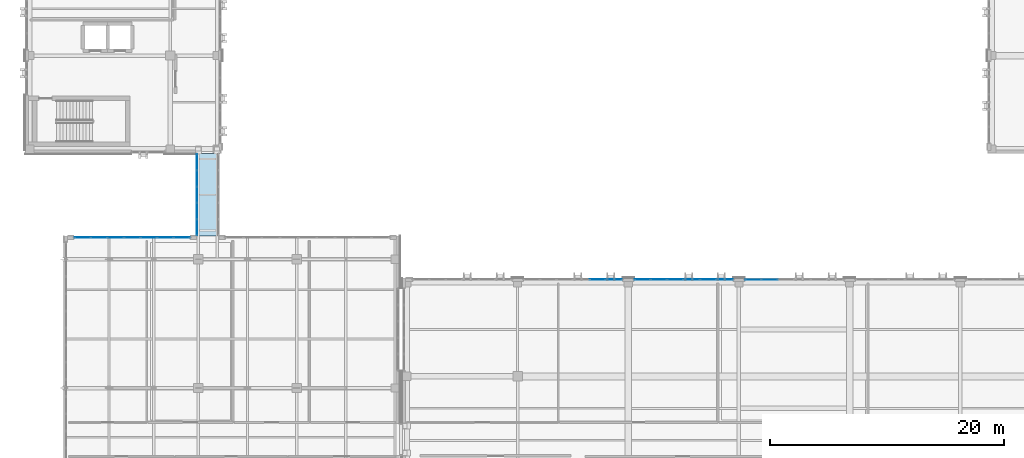
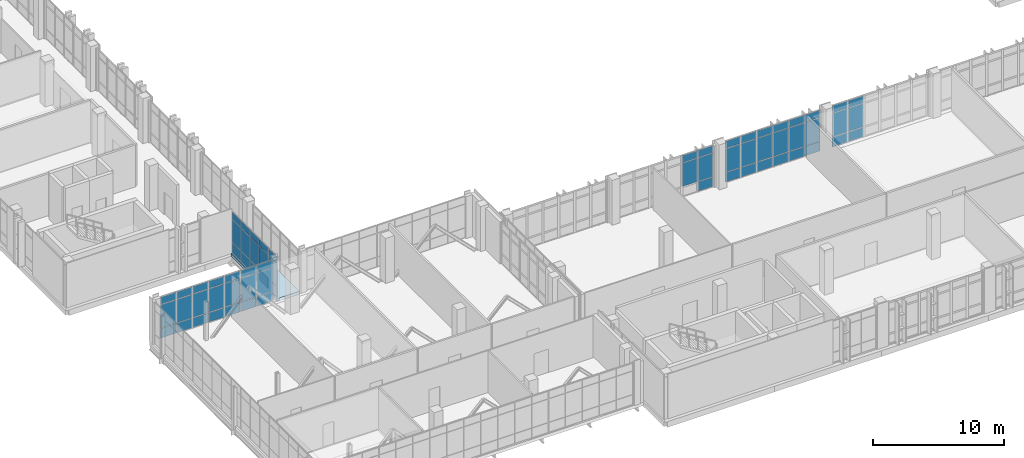
# One storey, part 115 of 165: 65 plates, 1 slab, 5 elements without a shape of their own.
"""IFC4 building model written with IfcOpenShell, lengths in metres."""

from ifc_helpers import new_model, si_unit, direction, frame, origin, origin_2d, place, context, subcontext, project, spatial, polyline, rectangle, outline, extrude, material, layer, layer_set, type_object, element, aggregate, save


model = new_model("IFC4")

# Units and contexts
model_context = context("Model", 3, precision=1e-05, world=origin(), true_north=direction((0.0, 1.0)))
body_context = subcontext(model_context, "Body", "Model", "MODEL_VIEW")
ifc_project = project(units=[si_unit("LENGTHUNIT", "METRE"), si_unit("AREAUNIT", "SQUARE_METRE"), si_unit("VOLUMEUNIT", "CUBIC_METRE"), si_unit("PLANEANGLEUNIT", "RADIAN"), si_unit("MASSUNIT", "GRAM", prefix="KILO")], contexts=[model_context])

# Site, building, storey
site_placement = place(None, origin())
site = spatial("IfcSite", under=ifc_project, at=site_placement, CompositionType="ELEMENT")
building_placement = place(site_placement, origin())
building = spatial("IfcBuilding", under=site, at=building_placement, Name="Qalavern Law Courts", CompositionType="ELEMENT")
storey_placement = place(building_placement, frame((0.0, 0.0, 14.39990234375)))
storey = spatial("IfcBuildingStorey", under=building, at=storey_placement, Name="L03", CompositionType="ELEMENT", Elevation=14.39990234375)

# Curtain wall, plates
ifc_material_1 = material(Name="Anodised aluminium and insulated glazing", Category="aluminium")
ifc_layer_1 = layer(ifc_material_1, 0.199951171875)
ifc_layer_set_1 = layer_set([ifc_layer_1], Name="Anodised aluminium and insulated glazing")
curtain_wall_type_1 = type_object("IfcCurtainWallType", Name="ENV-CW-FOYER", PredefinedType="USERDEFINED", material=ifc_layer_set_1)
curtain_wall_1_placement = place(storey_placement, origin())
curtain_wall_1 = element("IfcCurtainWall", 1, at=curtain_wall_1_placement, inside=storey, type_object=curtain_wall_type_1, Name="V1 unitised curtain wall L03 north 1", ObjectType="UNITISED CURTAIN WALL", PredefinedType="USERDEFINED")
ifc_material_2 = material(Name="Insulated low-E acoustic glazing", Category="glass")
ifc_layer_2 = layer(ifc_material_2, 0.02392578125)
ifc_layer_set_2 = layer_set([ifc_layer_2], Name="Insulated low-E acoustic glazing")
plate_type_1 = type_object("IfcPlateType", Name="ENV-CWP-24", PredefinedType="CURTAIN_PANEL", material=ifc_layer_set_2)
plate_1_placement = place(storey_placement, frame((15.380126953125, 33.8525390625, 0.048095703125), z_axis=(0.0, 0.0, 1.0), x_axis=(-1.0, 0.0, 0.0)))
plate_1 = element("IfcPlate", 2, at=plate_1_placement, type_object=plate_type_1, Name="CW-01 panel 1.1", PredefinedType="CURTAIN_PANEL", context=body_context, shape_type="SweptSolid", body=[
    extrude(rectangle(XDim=1.34375, YDim=0.02392578125, at=origin_2d()), origin(), (0.0, 0.0, 1.0), 0.8779296875),
])
plate_2_placement = place(storey_placement, frame((15.380126953125, 33.8525390625, 0.97412109375), z_axis=(0.0, 0.0, 1.0), x_axis=(-1.0, 0.0, 0.0)))
plate_2 = element("IfcPlate", 3, at=plate_2_placement, type_object=plate_type_1, Name="CW-01 panel 1.2", PredefinedType="CURTAIN_PANEL", context=body_context, shape_type="SweptSolid", body=[
    extrude(rectangle(XDim=1.34375, YDim=0.02392578125, at=origin_2d()), origin(), (0.0, 0.0, 1.0), 2.172119140625),
])
plate_3_placement = place(storey_placement, frame((15.380126953125, 33.8525390625, 3.1943359375), z_axis=(0.0, 0.0, 1.0), x_axis=(-1.0, 0.0, 0.0)))
plate_3 = element("IfcPlate", 4, at=plate_3_placement, type_object=plate_type_1, Name="CW-01 panel 1.3", PredefinedType="CURTAIN_PANEL", context=body_context, shape_type="SweptSolid", body=[
    extrude(rectangle(XDim=1.34375, YDim=0.02392578125, at=origin_2d()), origin(), (0.0, 0.0, 1.0), 0.677978515625),
])
plate_4_placement = place(storey_placement, frame((13.976318359375, 33.8525390625, 0.048095703125), z_axis=(0.0, 0.0, 1.0), x_axis=(-1.0, 0.0, 0.0)))
plate_4 = element("IfcPlate", 5, at=plate_4_placement, type_object=plate_type_1, Name="CW-01 panel 2.1", PredefinedType="CURTAIN_PANEL", context=body_context, shape_type="SweptSolid", body=[
    extrude(rectangle(XDim=1.36767578125, YDim=0.02392578125, at=origin_2d()), origin(), (0.0, 0.0, 1.0), 0.8779296875),
])
plate_5_placement = place(storey_placement, frame((13.976318359375, 33.8525390625, 0.97412109375), z_axis=(0.0, 0.0, 1.0), x_axis=(-1.0, 0.0, 0.0)))
plate_5 = element("IfcPlate", 6, at=plate_5_placement, type_object=plate_type_1, Name="CW-01 panel 2.2", PredefinedType="CURTAIN_PANEL", context=body_context, shape_type="SweptSolid", body=[
    extrude(rectangle(XDim=1.36767578125, YDim=0.02392578125, at=origin_2d()), origin(), (0.0, 0.0, 1.0), 2.172119140625),
])
plate_6_placement = place(storey_placement, frame((13.976318359375, 33.8525390625, 3.1943359375), z_axis=(0.0, 0.0, 1.0), x_axis=(-1.0, 0.0, 0.0)))
plate_6 = element("IfcPlate", 7, at=plate_6_placement, type_object=plate_type_1, Name="CW-01 panel 2.3", PredefinedType="CURTAIN_PANEL", context=body_context, shape_type="SweptSolid", body=[
    extrude(rectangle(XDim=1.36767578125, YDim=0.02392578125, at=origin_2d()), origin(), (0.0, 0.0, 1.0), 0.677978515625),
])
plate_7_placement = place(storey_placement, frame((12.560791015625, 33.8525390625, 0.048095703125), z_axis=(0.0, 0.0, 1.0), x_axis=(-1.0, 0.0, 0.0)))
plate_7 = element("IfcPlate", 8, at=plate_7_placement, type_object=plate_type_1, Name="CW-01 panel 3.1", PredefinedType="CURTAIN_PANEL", context=body_context, shape_type="SweptSolid", body=[
    extrude(rectangle(XDim=1.36767578125, YDim=0.02392578125, at=origin_2d()), origin(), (0.0, 0.0, 1.0), 0.8779296875),
])
plate_8_placement = place(storey_placement, frame((12.560791015625, 33.8525390625, 0.97412109375), z_axis=(0.0, 0.0, 1.0), x_axis=(-1.0, 0.0, 0.0)))
plate_8 = element("IfcPlate", 9, at=plate_8_placement, type_object=plate_type_1, Name="CW-01 panel 3.2", PredefinedType="CURTAIN_PANEL", context=body_context, shape_type="SweptSolid", body=[
    extrude(rectangle(XDim=1.36767578125, YDim=0.02392578125, at=origin_2d()), origin(), (0.0, 0.0, 1.0), 2.172119140625),
])
plate_9_placement = place(storey_placement, frame((12.560791015625, 33.8525390625, 3.1943359375), z_axis=(0.0, 0.0, 1.0), x_axis=(-1.0, 0.0, 0.0)))
plate_9 = element("IfcPlate", 10, at=plate_9_placement, type_object=plate_type_1, Name="CW-01 panel 3.3", PredefinedType="CURTAIN_PANEL", context=body_context, shape_type="SweptSolid", body=[
    extrude(rectangle(XDim=1.36767578125, YDim=0.02392578125, at=origin_2d()), origin(), (0.0, 0.0, 1.0), 0.677978515625),
])
plate_10_placement = place(storey_placement, frame((11.14501953125, 33.8525390625, 0.048095703125), z_axis=(0.0, 0.0, 1.0), x_axis=(-1.0, 0.0, 0.0)))
plate_10 = element("IfcPlate", 11, at=plate_10_placement, type_object=plate_type_1, Name="CW-01 panel 4.1", PredefinedType="CURTAIN_PANEL", context=body_context, shape_type="SweptSolid", body=[
    extrude(rectangle(XDim=1.36767578125, YDim=0.02392578125, at=origin_2d()), origin(), (0.0, 0.0, 1.0), 0.8779296875),
])
plate_11_placement = place(storey_placement, frame((11.14501953125, 33.8525390625, 0.97412109375), z_axis=(0.0, 0.0, 1.0), x_axis=(-1.0, 0.0, 0.0)))
plate_11 = element("IfcPlate", 12, at=plate_11_placement, type_object=plate_type_1, Name="CW-01 panel 4.2", PredefinedType="CURTAIN_PANEL", context=body_context, shape_type="SweptSolid", body=[
    extrude(rectangle(XDim=1.36767578125, YDim=0.02392578125, at=origin_2d()), origin(), (0.0, 0.0, 1.0), 2.172119140625),
])
plate_12_placement = place(storey_placement, frame((11.14501953125, 33.8525390625, 3.1943359375), z_axis=(0.0, 0.0, 1.0), x_axis=(-1.0, 0.0, 0.0)))
plate_12 = element("IfcPlate", 13, at=plate_12_placement, type_object=plate_type_1, Name="CW-01 panel 4.3", PredefinedType="CURTAIN_PANEL", context=body_context, shape_type="SweptSolid", body=[
    extrude(rectangle(XDim=1.36767578125, YDim=0.02392578125, at=origin_2d()), origin(), (0.0, 0.0, 1.0), 0.677978515625),
])
plate_13_placement = place(storey_placement, frame((9.729248046875, 33.8525390625, 0.048095703125), z_axis=(0.0, 0.0, 1.0), x_axis=(-1.0, 0.0, 0.0)))
plate_13 = element("IfcPlate", 14, at=plate_13_placement, type_object=plate_type_1, Name="CW-01 panel 5.1", PredefinedType="CURTAIN_PANEL", context=body_context, shape_type="SweptSolid", body=[
    extrude(rectangle(XDim=1.36767578125, YDim=0.02392578125, at=origin_2d()), origin(), (0.0, 0.0, 1.0), 0.8779296875),
])
plate_14_placement = place(storey_placement, frame((9.729248046875, 33.8525390625, 0.97412109375), z_axis=(0.0, 0.0, 1.0), x_axis=(-1.0, 0.0, 0.0)))
plate_14 = element("IfcPlate", 15, at=plate_14_placement, type_object=plate_type_1, Name="CW-01 panel 5.2", PredefinedType="CURTAIN_PANEL", context=body_context, shape_type="SweptSolid", body=[
    extrude(rectangle(XDim=1.36767578125, YDim=0.02392578125, at=origin_2d()), origin(), (0.0, 0.0, 1.0), 2.172119140625),
])
plate_15_placement = place(storey_placement, frame((9.729248046875, 33.8525390625, 3.1943359375), z_axis=(0.0, 0.0, 1.0), x_axis=(-1.0, 0.0, 0.0)))
plate_15 = element("IfcPlate", 16, at=plate_15_placement, type_object=plate_type_1, Name="CW-01 panel 5.3", PredefinedType="CURTAIN_PANEL", context=body_context, shape_type="SweptSolid", body=[
    extrude(rectangle(XDim=1.36767578125, YDim=0.02392578125, at=origin_2d()), origin(), (0.0, 0.0, 1.0), 0.677978515625),
])
plate_16_placement = place(storey_placement, frame((8.3134765625, 33.8525390625, 0.048095703125), z_axis=(0.0, 0.0, 1.0), x_axis=(-1.0, 0.0, 0.0)))
plate_16 = element("IfcPlate", 17, at=plate_16_placement, type_object=plate_type_1, Name="CW-01 panel 6.1", PredefinedType="CURTAIN_PANEL", context=body_context, shape_type="SweptSolid", body=[
    extrude(rectangle(XDim=1.36767578125, YDim=0.02392578125, at=origin_2d()), origin(), (0.0, 0.0, 1.0), 0.8779296875),
])
plate_17_placement = place(storey_placement, frame((8.3134765625, 33.8525390625, 0.97412109375), z_axis=(0.0, 0.0, 1.0), x_axis=(-1.0, 0.0, 0.0)))
plate_17 = element("IfcPlate", 18, at=plate_17_placement, type_object=plate_type_1, Name="CW-01 panel 6.2", PredefinedType="CURTAIN_PANEL", context=body_context, shape_type="SweptSolid", body=[
    extrude(rectangle(XDim=1.36767578125, YDim=0.02392578125, at=origin_2d()), origin(), (0.0, 0.0, 1.0), 2.172119140625),
])
plate_18_placement = place(storey_placement, frame((8.3134765625, 33.8525390625, 3.1943359375), z_axis=(0.0, 0.0, 1.0), x_axis=(-1.0, 0.0, 0.0)))
plate_18 = element("IfcPlate", 19, at=plate_18_placement, type_object=plate_type_1, Name="CW-01 panel 6.3", PredefinedType="CURTAIN_PANEL", context=body_context, shape_type="SweptSolid", body=[
    extrude(rectangle(XDim=1.36767578125, YDim=0.02392578125, at=origin_2d()), origin(), (0.0, 0.0, 1.0), 0.677978515625),
])
plate_19_placement = place(storey_placement, frame((6.909912109375, 33.8525390625, 0.048095703125), z_axis=(0.0, 0.0, 1.0), x_axis=(-1.0, 0.0, 0.0)))
plate_19 = element("IfcPlate", 20, at=plate_19_placement, type_object=plate_type_1, Name="CW-01 panel 7.1", PredefinedType="CURTAIN_PANEL", context=body_context, shape_type="SweptSolid", body=[
    extrude(rectangle(XDim=1.34375, YDim=0.02392578125, at=origin_2d()), origin(), (0.0, 0.0, 1.0), 0.8779296875),
])
plate_20_placement = place(storey_placement, frame((6.909912109375, 33.8525390625, 0.97412109375), z_axis=(0.0, 0.0, 1.0), x_axis=(-1.0, 0.0, 0.0)))
plate_20 = element("IfcPlate", 21, at=plate_20_placement, type_object=plate_type_1, Name="CW-01 panel 7.2", PredefinedType="CURTAIN_PANEL", context=body_context, shape_type="SweptSolid", body=[
    extrude(rectangle(XDim=1.34375, YDim=0.02392578125, at=origin_2d()), origin(), (0.0, 0.0, 1.0), 2.172119140625),
])
plate_21_placement = place(storey_placement, frame((6.909912109375, 33.8525390625, 3.1943359375), z_axis=(0.0, 0.0, 1.0), x_axis=(-1.0, 0.0, 0.0)))
plate_21 = element("IfcPlate", 22, at=plate_21_placement, type_object=plate_type_1, Name="CW-01 panel 7.3", PredefinedType="CURTAIN_PANEL", context=body_context, shape_type="SweptSolid", body=[
    extrude(rectangle(XDim=1.34375, YDim=0.02392578125, at=origin_2d()), origin(), (0.0, 0.0, 1.0), 0.677978515625),
])
aggregate(curtain_wall_1, [plate_1, plate_2, plate_3, plate_4, plate_5, plate_6, plate_7, plate_8, plate_9, plate_10, plate_11, plate_12, plate_13, plate_14, plate_15, plate_16, plate_17, plate_18, plate_19, plate_20, plate_21])

ifc_layer_3 = layer(ifc_material_1, 0.18505859375)
ifc_layer_set_3 = layer_set([ifc_layer_3], Name="Anodised aluminium and insulated glazing")
curtain_wall_type_2 = type_object("IfcCurtainWallType", Name="ENV-CW-HALL", PredefinedType="USERDEFINED", material=ifc_layer_set_3)
curtain_wall_2_placement = place(storey_placement, origin())
curtain_wall_2 = element("IfcCurtainWall", 23, at=curtain_wall_2_placement, inside=storey, type_object=curtain_wall_type_2, Name="V2 unitised curtain wall L03 north 3", ObjectType="UNITISED CURTAIN WALL", PredefinedType="USERDEFINED")
ifc_layer_4 = layer(ifc_material_2, 0.031982421875)
ifc_layer_set_4 = layer_set([ifc_layer_4], Name="Insulated low-E acoustic glazing")
plate_type_2 = type_object("IfcPlateType", Name="ENV-CWP-32", PredefinedType="CURTAIN_PANEL", material=ifc_layer_set_4)
plate_22_placement = place(storey_placement, frame((65.596435546875, 30.25244140625, 0.048095703125), z_axis=(0.0, 0.0, 1.0), x_axis=(-1.0, 0.0, 0.0)))
plate_22 = element("IfcPlate", 24, at=plate_22_placement, type_object=plate_type_2, Name="CW-02 panel 5.1", PredefinedType="CURTAIN_PANEL", context=body_context, shape_type="SweptSolid", body=[
    extrude(rectangle(XDim=1.361083984375, YDim=0.031982421875, at=origin_2d()), origin(), (0.0, 0.0, 1.0), 0.8779296875),
])
plate_23_placement = place(storey_placement, frame((65.596435546875, 30.25244140625, 0.97412109375), z_axis=(0.0, 0.0, 1.0), x_axis=(-1.0, 0.0, 0.0)))
plate_23 = element("IfcPlate", 25, at=plate_23_placement, type_object=plate_type_2, Name="CW-02 panel 5.2", PredefinedType="CURTAIN_PANEL", context=body_context, shape_type="SweptSolid", body=[
    extrude(rectangle(XDim=1.361083984375, YDim=0.031982421875, at=origin_2d()), origin(), (0.0, 0.0, 1.0), 2.172119140625),
])
plate_24_placement = place(storey_placement, frame((65.596435546875, 30.25244140625, 3.1943359375), z_axis=(0.0, 0.0, 1.0), x_axis=(-1.0, 0.0, 0.0)))
plate_24 = element("IfcPlate", 26, at=plate_24_placement, type_object=plate_type_2, Name="CW-02 panel 5.3", PredefinedType="CURTAIN_PANEL", context=body_context, shape_type="SweptSolid", body=[
    extrude(rectangle(XDim=1.361083984375, YDim=0.031982421875, at=origin_2d()), origin(), (0.0, 0.0, 1.0), 0.677978515625),
])
plate_25_placement = place(storey_placement, frame((64.199462890625, 30.25244140625, 0.048095703125), z_axis=(0.0, 0.0, 1.0), x_axis=(-1.0, 0.0, 0.0)))
plate_25 = element("IfcPlate", 27, at=plate_25_placement, type_object=plate_type_2, Name="CW-02 panel 6.1", PredefinedType="CURTAIN_PANEL", context=body_context, shape_type="SweptSolid", body=[
    extrude(rectangle(XDim=1.3369140625, YDim=0.031982421875, at=origin_2d()), origin(), (0.0, 0.0, 1.0), 0.8779296875),
])
plate_26_placement = place(storey_placement, frame((64.199462890625, 30.25244140625, 0.97412109375), z_axis=(0.0, 0.0, 1.0), x_axis=(-1.0, 0.0, 0.0)))
plate_26 = element("IfcPlate", 28, at=plate_26_placement, type_object=plate_type_2, Name="CW-02 panel 6.2", PredefinedType="CURTAIN_PANEL", context=body_context, shape_type="SweptSolid", body=[
    extrude(rectangle(XDim=1.3369140625, YDim=0.031982421875, at=origin_2d()), origin(), (0.0, 0.0, 1.0), 2.172119140625),
])
plate_27_placement = place(storey_placement, frame((64.199462890625, 30.25244140625, 3.1943359375), z_axis=(0.0, 0.0, 1.0), x_axis=(-1.0, 0.0, 0.0)))
plate_27 = element("IfcPlate", 29, at=plate_27_placement, type_object=plate_type_2, Name="CW-02 panel 6.3", PredefinedType="CURTAIN_PANEL", context=body_context, shape_type="SweptSolid", body=[
    extrude(rectangle(XDim=1.3369140625, YDim=0.031982421875, at=origin_2d()), origin(), (0.0, 0.0, 1.0), 0.677978515625),
])
aggregate(curtain_wall_2, [plate_22, plate_23, plate_24, plate_25, plate_26, plate_27])

ifc_layer_5 = layer(ifc_material_1, 0.14990234375)
ifc_layer_set_5 = layer_set([ifc_layer_5], Name="Anodised aluminium and insulated glazing")
curtain_wall_type_3 = type_object("IfcCurtainWallType", Name="ENV-CW-BRG", PredefinedType="USERDEFINED", material=ifc_layer_set_5)
curtain_wall_3_placement = place(storey_placement, origin())
curtain_wall_3 = element("IfcCurtainWall", 30, at=curtain_wall_3_placement, inside=storey, type_object=curtain_wall_type_3, Name="Bridge BR-V1-V3 glazed curtain wall L03-1", ObjectType="UNITISED CURTAIN WALL", PredefinedType="USERDEFINED")
plate_28_placement = place(storey_placement, frame((16.675048828125, 40.2900390625, 0.048095703125), z_axis=(0.0, 0.0, 1.0), x_axis=(0.0, -1.0, 0.0)))
plate_28 = element("IfcPlate", 31, at=plate_28_placement, type_object=plate_type_2, Name="CW-06 panel 1.1", PredefinedType="CURTAIN_PANEL", context=body_context, shape_type="SweptSolid", body=[
    extrude(rectangle(XDim=1.323974609375, YDim=0.031982421875, at=origin_2d()), origin(), (0.0, 0.0, 1.0), 0.97802734375),
])
plate_29_placement = place(storey_placement, frame((16.675048828125, 40.2900390625, 1.073974609375), z_axis=(0.0, 0.0, 1.0), x_axis=(0.0, -1.0, 0.0)))
plate_29 = element("IfcPlate", 32, at=plate_29_placement, type_object=plate_type_2, Name="CW-06 panel 1.2", PredefinedType="CURTAIN_PANEL", context=body_context, shape_type="SweptSolid", body=[
    extrude(rectangle(XDim=1.323974609375, YDim=0.031982421875, at=origin_2d()), origin(), (0.0, 0.0, 1.0), 2.1220703125),
])
plate_30_placement = place(storey_placement, frame((16.675048828125, 40.2900390625, 3.244140625), z_axis=(0.0, 0.0, 1.0), x_axis=(0.0, -1.0, 0.0)))
plate_30 = element("IfcPlate", 33, at=plate_30_placement, type_object=plate_type_2, Name="CW-06 panel 1.3", PredefinedType="CURTAIN_PANEL", context=body_context, shape_type="SweptSolid", body=[
    extrude(rectangle(XDim=1.323974609375, YDim=0.031982421875, at=origin_2d()), origin(), (0.0, 0.0, 1.0), 0.6279296875),
])
plate_31_placement = place(storey_placement, frame((16.675048828125, 38.906005859375, 0.048095703125), z_axis=(0.0, 0.0, 1.0), x_axis=(0.0, -1.0, 0.0)))
plate_31 = element("IfcPlate", 34, at=plate_31_placement, type_object=plate_type_2, Name="CW-06 panel 2.1", PredefinedType="CURTAIN_PANEL", context=body_context, shape_type="SweptSolid", body=[
    extrude(rectangle(XDim=1.347900390625, YDim=0.031982421875, at=origin_2d()), origin(), (0.0, 0.0, 1.0), 0.97802734375),
])
plate_32_placement = place(storey_placement, frame((16.675048828125, 38.906005859375, 1.073974609375), z_axis=(0.0, 0.0, 1.0), x_axis=(0.0, -1.0, 0.0)))
plate_32 = element("IfcPlate", 35, at=plate_32_placement, type_object=plate_type_2, Name="CW-06 panel 2.2", PredefinedType="CURTAIN_PANEL", context=body_context, shape_type="SweptSolid", body=[
    extrude(rectangle(XDim=1.347900390625, YDim=0.031982421875, at=origin_2d()), origin(), (0.0, 0.0, 1.0), 2.1220703125),
])
plate_33_placement = place(storey_placement, frame((16.675048828125, 38.906005859375, 3.244140625), z_axis=(0.0, 0.0, 1.0), x_axis=(0.0, -1.0, 0.0)))
plate_33 = element("IfcPlate", 36, at=plate_33_placement, type_object=plate_type_2, Name="CW-06 panel 2.3", PredefinedType="CURTAIN_PANEL", context=body_context, shape_type="SweptSolid", body=[
    extrude(rectangle(XDim=1.347900390625, YDim=0.031982421875, at=origin_2d()), origin(), (0.0, 0.0, 1.0), 0.6279296875),
])
plate_34_placement = place(storey_placement, frame((16.675048828125, 37.510009765625, 0.048095703125), z_axis=(0.0, 0.0, 1.0), x_axis=(0.0, -1.0, 0.0)))
plate_34 = element("IfcPlate", 37, at=plate_34_placement, type_object=plate_type_2, Name="CW-06 panel 3.1", PredefinedType="CURTAIN_PANEL", context=body_context, shape_type="SweptSolid", body=[
    extrude(rectangle(XDim=1.347900390625, YDim=0.031982421875, at=origin_2d()), origin(), (0.0, 0.0, 1.0), 0.97802734375),
])
plate_35_placement = place(storey_placement, frame((16.675048828125, 37.510009765625, 1.073974609375), z_axis=(0.0, 0.0, 1.0), x_axis=(0.0, -1.0, 0.0)))
plate_35 = element("IfcPlate", 38, at=plate_35_placement, type_object=plate_type_2, Name="CW-06 panel 3.2", PredefinedType="CURTAIN_PANEL", context=body_context, shape_type="SweptSolid", body=[
    extrude(rectangle(XDim=1.347900390625, YDim=0.031982421875, at=origin_2d()), origin(), (0.0, 0.0, 1.0), 2.1220703125),
])
plate_36_placement = place(storey_placement, frame((16.675048828125, 37.510009765625, 3.244140625), z_axis=(0.0, 0.0, 1.0), x_axis=(0.0, -1.0, 0.0)))
plate_36 = element("IfcPlate", 39, at=plate_36_placement, type_object=plate_type_2, Name="CW-06 panel 3.3", PredefinedType="CURTAIN_PANEL", context=body_context, shape_type="SweptSolid", body=[
    extrude(rectangle(XDim=1.347900390625, YDim=0.031982421875, at=origin_2d()), origin(), (0.0, 0.0, 1.0), 0.6279296875),
])
plate_37_placement = place(storey_placement, frame((16.675048828125, 36.114013671875, 0.048095703125), z_axis=(0.0, 0.0, 1.0), x_axis=(0.0, -1.0, 0.0)))
plate_37 = element("IfcPlate", 40, at=plate_37_placement, type_object=plate_type_2, Name="CW-06 panel 4.1", PredefinedType="CURTAIN_PANEL", context=body_context, shape_type="SweptSolid", body=[
    extrude(rectangle(XDim=1.347900390625, YDim=0.031982421875, at=origin_2d()), origin(), (0.0, 0.0, 1.0), 0.97802734375),
])
plate_38_placement = place(storey_placement, frame((16.675048828125, 36.114013671875, 1.073974609375), z_axis=(0.0, 0.0, 1.0), x_axis=(0.0, -1.0, 0.0)))
plate_38 = element("IfcPlate", 41, at=plate_38_placement, type_object=plate_type_2, Name="CW-06 panel 4.2", PredefinedType="CURTAIN_PANEL", context=body_context, shape_type="SweptSolid", body=[
    extrude(rectangle(XDim=1.347900390625, YDim=0.031982421875, at=origin_2d()), origin(), (0.0, 0.0, 1.0), 2.1220703125),
])
plate_39_placement = place(storey_placement, frame((16.675048828125, 36.114013671875, 3.244140625), z_axis=(0.0, 0.0, 1.0), x_axis=(0.0, -1.0, 0.0)))
plate_39 = element("IfcPlate", 42, at=plate_39_placement, type_object=plate_type_2, Name="CW-06 panel 4.3", PredefinedType="CURTAIN_PANEL", context=body_context, shape_type="SweptSolid", body=[
    extrude(rectangle(XDim=1.347900390625, YDim=0.031982421875, at=origin_2d()), origin(), (0.0, 0.0, 1.0), 0.6279296875),
])
plate_40_placement = place(storey_placement, frame((16.675048828125, 34.72998046875, 0.048095703125), z_axis=(0.0, 0.0, 1.0), x_axis=(0.0, -1.0, 0.0)))
plate_40 = element("IfcPlate", 43, at=plate_40_placement, type_object=plate_type_2, Name="CW-06 panel 5.1", PredefinedType="CURTAIN_PANEL", context=body_context, shape_type="SweptSolid", body=[
    extrude(rectangle(XDim=1.323974609375, YDim=0.031982421875, at=origin_2d()), origin(), (0.0, 0.0, 1.0), 0.97802734375),
])
plate_41_placement = place(storey_placement, frame((16.675048828125, 34.72998046875, 1.073974609375), z_axis=(0.0, 0.0, 1.0), x_axis=(0.0, -1.0, 0.0)))
plate_41 = element("IfcPlate", 44, at=plate_41_placement, type_object=plate_type_2, Name="CW-06 panel 5.2", PredefinedType="CURTAIN_PANEL", context=body_context, shape_type="SweptSolid", body=[
    extrude(rectangle(XDim=1.323974609375, YDim=0.031982421875, at=origin_2d()), origin(), (0.0, 0.0, 1.0), 2.1220703125),
])
plate_42_placement = place(storey_placement, frame((16.675048828125, 34.72998046875, 3.244140625), z_axis=(0.0, 0.0, 1.0), x_axis=(0.0, -1.0, 0.0)))
plate_42 = element("IfcPlate", 45, at=plate_42_placement, type_object=plate_type_2, Name="CW-06 panel 5.3", PredefinedType="CURTAIN_PANEL", context=body_context, shape_type="SweptSolid", body=[
    extrude(rectangle(XDim=1.323974609375, YDim=0.031982421875, at=origin_2d()), origin(), (0.0, 0.0, 1.0), 0.6279296875),
])
aggregate(curtain_wall_3, [plate_28, plate_29, plate_30, plate_31, plate_32, plate_33, plate_34, plate_35, plate_36, plate_37, plate_38, plate_39, plate_40, plate_41, plate_42])

curtain_wall_4_placement = place(storey_placement, origin())
curtain_wall_4 = element("IfcCurtainWall", 46, at=curtain_wall_4_placement, inside=storey, type_object=curtain_wall_type_2, Name="V2 unitised curtain wall L03 north 4", ObjectType="UNITISED CURTAIN WALL", PredefinedType="USERDEFINED")
ifc_layer_6 = layer(ifc_material_2, 0.035888671875)
ifc_layer_set_6 = layer_set([ifc_layer_6], Name="Insulated low-E acoustic glazing")
plate_type_3 = type_object("IfcPlateType", Name="ENV-CWP-36", PredefinedType="CURTAIN_PANEL", material=ifc_layer_set_6)
plate_43_placement = place(storey_placement, frame((61.766357421875, 30.25244140625, 0.048095703125), z_axis=(0.0, 0.0, 1.0), x_axis=(-1.0, 0.0, 0.0)))
plate_43 = element("IfcPlate", 47, at=plate_43_placement, type_object=plate_type_3, Name="CW-02 panel 1.1", PredefinedType="CURTAIN_PANEL", context=body_context, shape_type="SweptSolid", body=[
    extrude(rectangle(XDim=1.337158203125, YDim=0.035888671875, at=origin_2d()), origin(), (0.0, 0.0, 1.0), 0.8779296875),
])
plate_44_placement = place(storey_placement, frame((61.766357421875, 30.25244140625, 0.97412109375), z_axis=(0.0, 0.0, 1.0), x_axis=(-1.0, 0.0, 0.0)))
plate_44 = element("IfcPlate", 48, at=plate_44_placement, type_object=plate_type_3, Name="CW-02 panel 1.2", PredefinedType="CURTAIN_PANEL", context=body_context, shape_type="SweptSolid", body=[
    extrude(rectangle(XDim=1.337158203125, YDim=0.035888671875, at=origin_2d()), origin(), (0.0, 0.0, 1.0), 2.172119140625),
])
plate_45_placement = place(storey_placement, frame((61.766357421875, 30.25244140625, 3.1943359375), z_axis=(0.0, 0.0, 1.0), x_axis=(-1.0, 0.0, 0.0)))
plate_45 = element("IfcPlate", 49, at=plate_45_placement, type_object=plate_type_3, Name="CW-02 panel 1.3", PredefinedType="CURTAIN_PANEL", context=body_context, shape_type="SweptSolid", body=[
    extrude(rectangle(XDim=1.337158203125, YDim=0.035888671875, at=origin_2d()), origin(), (0.0, 0.0, 1.0), 0.677978515625),
])
plate_46_placement = place(storey_placement, frame((60.369384765625, 30.25244140625, 0.048095703125), z_axis=(0.0, 0.0, 1.0), x_axis=(-1.0, 0.0, 0.0)))
plate_46 = element("IfcPlate", 50, at=plate_46_placement, type_object=plate_type_3, Name="CW-02 panel 2.1", PredefinedType="CURTAIN_PANEL", context=body_context, shape_type="SweptSolid", body=[
    extrude(rectangle(XDim=1.361083984375, YDim=0.035888671875, at=origin_2d()), origin(), (0.0, 0.0, 1.0), 0.8779296875),
])
plate_47_placement = place(storey_placement, frame((60.369384765625, 30.25244140625, 0.97412109375), z_axis=(0.0, 0.0, 1.0), x_axis=(-1.0, 0.0, 0.0)))
plate_47 = element("IfcPlate", 51, at=plate_47_placement, type_object=plate_type_3, Name="CW-02 panel 2.2", PredefinedType="CURTAIN_PANEL", context=body_context, shape_type="SweptSolid", body=[
    extrude(rectangle(XDim=1.361083984375, YDim=0.035888671875, at=origin_2d()), origin(), (0.0, 0.0, 1.0), 2.172119140625),
])
plate_48_placement = place(storey_placement, frame((60.369384765625, 30.25244140625, 3.1943359375), z_axis=(0.0, 0.0, 1.0), x_axis=(-1.0, 0.0, 0.0)))
plate_48 = element("IfcPlate", 52, at=plate_48_placement, type_object=plate_type_3, Name="CW-02 panel 2.3", PredefinedType="CURTAIN_PANEL", context=body_context, shape_type="SweptSolid", body=[
    extrude(rectangle(XDim=1.361083984375, YDim=0.035888671875, at=origin_2d()), origin(), (0.0, 0.0, 1.0), 0.677978515625),
])
plate_49_placement = place(storey_placement, frame((58.960205078125, 30.25244140625, 0.048095703125), z_axis=(0.0, 0.0, 1.0), x_axis=(-1.0, 0.0, 0.0)))
plate_49 = element("IfcPlate", 53, at=plate_49_placement, type_object=plate_type_3, Name="CW-02 panel 3.1", PredefinedType="CURTAIN_PANEL", context=body_context, shape_type="SweptSolid", body=[
    extrude(rectangle(XDim=1.361083984375, YDim=0.035888671875, at=origin_2d()), origin(), (0.0, 0.0, 1.0), 0.8779296875),
])
plate_50_placement = place(storey_placement, frame((58.960205078125, 30.25244140625, 0.97412109375), z_axis=(0.0, 0.0, 1.0), x_axis=(-1.0, 0.0, 0.0)))
plate_50 = element("IfcPlate", 54, at=plate_50_placement, type_object=plate_type_3, Name="CW-02 panel 3.2", PredefinedType="CURTAIN_PANEL", context=body_context, shape_type="SweptSolid", body=[
    extrude(rectangle(XDim=1.361083984375, YDim=0.035888671875, at=origin_2d()), origin(), (0.0, 0.0, 1.0), 2.172119140625),
])
plate_51_placement = place(storey_placement, frame((58.960205078125, 30.25244140625, 3.1943359375), z_axis=(0.0, 0.0, 1.0), x_axis=(-1.0, 0.0, 0.0)))
plate_51 = element("IfcPlate", 55, at=plate_51_placement, type_object=plate_type_3, Name="CW-02 panel 3.3", PredefinedType="CURTAIN_PANEL", context=body_context, shape_type="SweptSolid", body=[
    extrude(rectangle(XDim=1.361083984375, YDim=0.035888671875, at=origin_2d()), origin(), (0.0, 0.0, 1.0), 0.677978515625),
])
plate_52_placement = place(storey_placement, frame((57.55126953125, 30.25244140625, 0.048095703125), z_axis=(0.0, 0.0, 1.0), x_axis=(-1.0, 0.0, 0.0)))
plate_52 = element("IfcPlate", 56, at=plate_52_placement, type_object=plate_type_3, Name="CW-02 panel 4.1", PredefinedType="CURTAIN_PANEL", context=body_context, shape_type="SweptSolid", body=[
    extrude(rectangle(XDim=1.361083984375, YDim=0.035888671875, at=origin_2d()), origin(), (0.0, 0.0, 1.0), 0.8779296875),
])
plate_53_placement = place(storey_placement, frame((57.55126953125, 30.25244140625, 0.97412109375), z_axis=(0.0, 0.0, 1.0), x_axis=(-1.0, 0.0, 0.0)))
plate_53 = element("IfcPlate", 57, at=plate_53_placement, type_object=plate_type_3, Name="CW-02 panel 4.2", PredefinedType="CURTAIN_PANEL", context=body_context, shape_type="SweptSolid", body=[
    extrude(rectangle(XDim=1.361083984375, YDim=0.035888671875, at=origin_2d()), origin(), (0.0, 0.0, 1.0), 2.172119140625),
])
plate_54_placement = place(storey_placement, frame((57.55126953125, 30.25244140625, 3.1943359375), z_axis=(0.0, 0.0, 1.0), x_axis=(-1.0, 0.0, 0.0)))
plate_54 = element("IfcPlate", 58, at=plate_54_placement, type_object=plate_type_3, Name="CW-02 panel 4.3", PredefinedType="CURTAIN_PANEL", context=body_context, shape_type="SweptSolid", body=[
    extrude(rectangle(XDim=1.361083984375, YDim=0.035888671875, at=origin_2d()), origin(), (0.0, 0.0, 1.0), 0.677978515625),
])
plate_55_placement = place(storey_placement, frame((56.14208984375, 30.25244140625, 0.048095703125), z_axis=(0.0, 0.0, 1.0), x_axis=(-1.0, 0.0, 0.0)))
plate_55 = element("IfcPlate", 59, at=plate_55_placement, type_object=plate_type_3, Name="CW-02 panel 5.1", PredefinedType="CURTAIN_PANEL", context=body_context, shape_type="SweptSolid", body=[
    extrude(rectangle(XDim=1.361083984375, YDim=0.035888671875, at=origin_2d()), origin(), (0.0, 0.0, 1.0), 0.8779296875),
])
plate_56_placement = place(storey_placement, frame((56.14208984375, 30.25244140625, 0.97412109375), z_axis=(0.0, 0.0, 1.0), x_axis=(-1.0, 0.0, 0.0)))
plate_56 = element("IfcPlate", 60, at=plate_56_placement, type_object=plate_type_3, Name="CW-02 panel 5.2", PredefinedType="CURTAIN_PANEL", context=body_context, shape_type="SweptSolid", body=[
    extrude(rectangle(XDim=1.361083984375, YDim=0.035888671875, at=origin_2d()), origin(), (0.0, 0.0, 1.0), 2.172119140625),
])
plate_57_placement = place(storey_placement, frame((56.14208984375, 30.25244140625, 3.1943359375), z_axis=(0.0, 0.0, 1.0), x_axis=(-1.0, 0.0, 0.0)))
plate_57 = element("IfcPlate", 61, at=plate_57_placement, type_object=plate_type_3, Name="CW-02 panel 5.3", PredefinedType="CURTAIN_PANEL", context=body_context, shape_type="SweptSolid", body=[
    extrude(rectangle(XDim=1.361083984375, YDim=0.035888671875, at=origin_2d()), origin(), (0.0, 0.0, 1.0), 0.677978515625),
])
plate_58_placement = place(storey_placement, frame((54.7451171875, 30.25244140625, 0.048095703125), z_axis=(0.0, 0.0, 1.0), x_axis=(-1.0, 0.0, 0.0)))
plate_58 = element("IfcPlate", 62, at=plate_58_placement, type_object=plate_type_3, Name="CW-02 panel 6.1", PredefinedType="CURTAIN_PANEL", context=body_context, shape_type="SweptSolid", body=[
    extrude(rectangle(XDim=1.337158203125, YDim=0.035888671875, at=origin_2d()), origin(), (0.0, 0.0, 1.0), 0.8779296875),
])
plate_59_placement = place(storey_placement, frame((54.7451171875, 30.25244140625, 0.97412109375), z_axis=(0.0, 0.0, 1.0), x_axis=(-1.0, 0.0, 0.0)))
plate_59 = element("IfcPlate", 63, at=plate_59_placement, type_object=plate_type_3, Name="CW-02 panel 6.2", PredefinedType="CURTAIN_PANEL", context=body_context, shape_type="SweptSolid", body=[
    extrude(rectangle(XDim=1.337158203125, YDim=0.035888671875, at=origin_2d()), origin(), (0.0, 0.0, 1.0), 2.172119140625),
])
plate_60_placement = place(storey_placement, frame((54.7451171875, 30.25244140625, 3.1943359375), z_axis=(0.0, 0.0, 1.0), x_axis=(-1.0, 0.0, 0.0)))
plate_60 = element("IfcPlate", 64, at=plate_60_placement, type_object=plate_type_3, Name="CW-02 panel 6.3", PredefinedType="CURTAIN_PANEL", context=body_context, shape_type="SweptSolid", body=[
    extrude(rectangle(XDim=1.337158203125, YDim=0.035888671875, at=origin_2d()), origin(), (0.0, 0.0, 1.0), 0.677978515625),
])
aggregate(curtain_wall_4, [plate_43, plate_44, plate_45, plate_46, plate_47, plate_48, plate_49, plate_50, plate_51, plate_52, plate_53, plate_54, plate_55, plate_56, plate_57, plate_58, plate_59, plate_60])

curtain_wall_5_placement = place(storey_placement, origin())
curtain_wall_5 = element("IfcCurtainWall", 65, at=curtain_wall_5_placement, inside=storey, type_object=curtain_wall_type_2, Name="V2 unitised curtain wall L03 north 5", ObjectType="UNITISED CURTAIN WALL", PredefinedType="USERDEFINED")
ifc_layer_7 = layer(ifc_material_2, 0.0400390625)
ifc_layer_set_7 = layer_set([ifc_layer_7], Name="Insulated low-E acoustic glazing")
plate_type_4 = type_object("IfcPlateType", Name="ENV-CWP-40", PredefinedType="CURTAIN_PANEL", material=ifc_layer_set_7)
plate_61_placement = place(storey_placement, frame((52.31201171875, 30.25244140625, 0.048095703125), z_axis=(0.0, 0.0, 1.0), x_axis=(-1.0, 0.0, 0.0)))
plate_61 = element("IfcPlate", 66, at=plate_61_placement, type_object=plate_type_4, Name="CW-02 panel 1.1", PredefinedType="CURTAIN_PANEL", context=body_context, shape_type="SweptSolid", body=[
    extrude(rectangle(XDim=1.337158203125, YDim=0.0400390625, at=origin_2d()), origin(), (0.0, 0.0, 1.0), 0.8779296875),
])
plate_62_placement = place(storey_placement, frame((52.31201171875, 30.25244140625, 0.97412109375), z_axis=(0.0, 0.0, 1.0), x_axis=(-1.0, 0.0, 0.0)))
plate_62 = element("IfcPlate", 67, at=plate_62_placement, type_object=plate_type_4, Name="CW-02 panel 1.2", PredefinedType="CURTAIN_PANEL", context=body_context, shape_type="SweptSolid", body=[
    extrude(rectangle(XDim=1.337158203125, YDim=0.0400390625, at=origin_2d()), origin(), (0.0, 0.0, 1.0), 2.172119140625),
])
plate_63_placement = place(storey_placement, frame((52.31201171875, 30.25244140625, 3.1943359375), z_axis=(0.0, 0.0, 1.0), x_axis=(-1.0, 0.0, 0.0)))
plate_63 = element("IfcPlate", 68, at=plate_63_placement, type_object=plate_type_4, Name="CW-02 panel 1.3", PredefinedType="CURTAIN_PANEL", context=body_context, shape_type="SweptSolid", body=[
    extrude(rectangle(XDim=1.337158203125, YDim=0.0400390625, at=origin_2d()), origin(), (0.0, 0.0, 1.0), 0.677978515625),
])
plate_64_placement = place(storey_placement, frame((50.9150390625, 30.25244140625, 0.97412109375), z_axis=(0.0, 0.0, 1.0), x_axis=(-1.0, 0.0, 0.0)))
plate_64 = element("IfcPlate", 69, at=plate_64_placement, type_object=plate_type_4, Name="CW-02 panel 2.2", PredefinedType="CURTAIN_PANEL", context=body_context, shape_type="SweptSolid", body=[
    extrude(rectangle(XDim=1.361083984375, YDim=0.0400390625, at=origin_2d()), origin(), (0.0, 0.0, 1.0), 2.172119140625),
])
plate_65_placement = place(storey_placement, frame((50.9150390625, 30.25244140625, 3.1943359375), z_axis=(0.0, 0.0, 1.0), x_axis=(-1.0, 0.0, 0.0)))
plate_65 = element("IfcPlate", 70, at=plate_65_placement, type_object=plate_type_4, Name="CW-02 panel 2.3", PredefinedType="CURTAIN_PANEL", context=body_context, shape_type="SweptSolid", body=[
    extrude(rectangle(XDim=1.361083984375, YDim=0.0400390625, at=origin_2d()), origin(), (0.0, 0.0, 1.0), 0.677978515625),
])
aggregate(curtain_wall_5, [plate_61, plate_62, plate_63, plate_64, plate_65])

# Slab
ifc_material_3 = material(Name="Concrete C40/50", Category="concrete")
ifc_layer_8 = layer(ifc_material_3, 0.284912109375)
ifc_layer_set_8 = layer_set([ifc_layer_8], Name="Concrete C40/50")
slab_type = type_object("IfcSlabType", Name="STR-SLB-L03-285", PredefinedType="FLOOR", material=ifc_layer_set_8)
slab_placement = place(storey_placement, frame((0.0, 0.0, -0.284912109375)))
element("IfcSlab", 71, at=slab_placement, inside=storey, type_object=slab_type, Name="Bridge BR-V1-V3 deck slab L03", PredefinedType="FLOOR", context=body_context, shape_type="SweptSolid", body=[
    extrude(outline(polyline([(16.60009765625, 34.0), (18.60009765625, 34.0), (18.60009765625, 41.02001953125), (16.60009765625, 41.02001953125), (16.60009765625, 34.0)])), origin(), (0.0, 0.0, 1.0), 0.284912109375),
])

save(model, "model.ifc")
